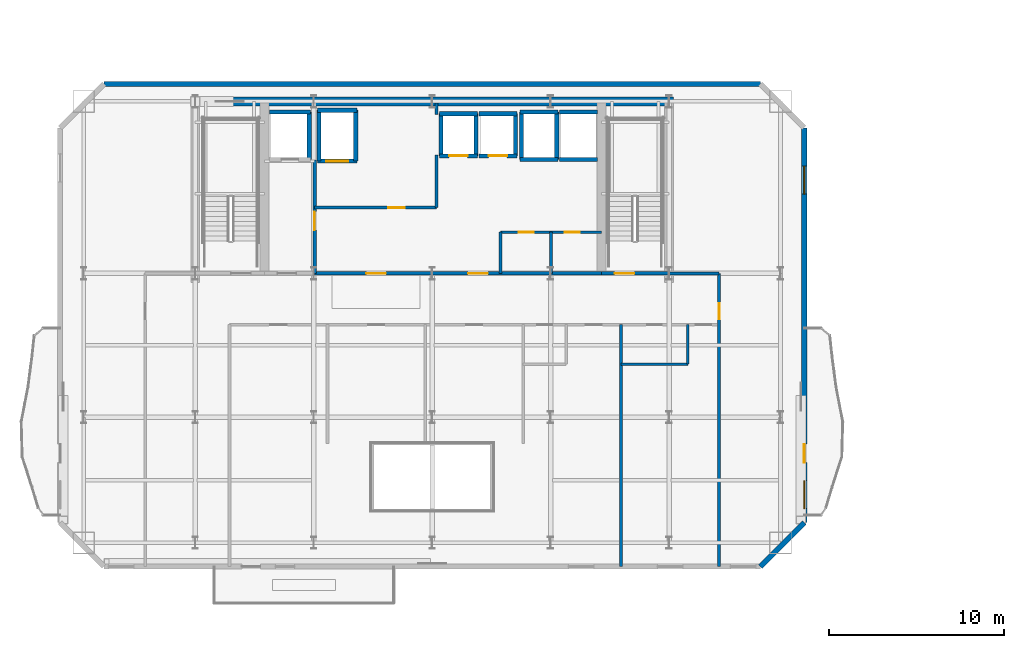
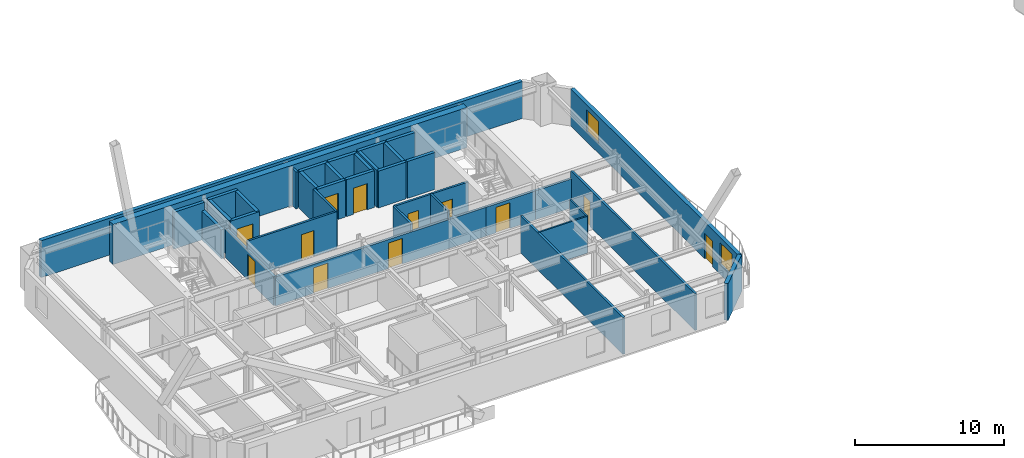
# One storey, part 6 of 13: 37 walls, 12 doors, 2 windows, 14 openings.
"""IFC4 building model written with IfcOpenShell, lengths in metres."""

from ifc_helpers import new_model, si_unit, direction, frame, frame_2d, origin, place, context, subcontext, project, spatial, rectangle, extrude, material, layer, layer_set, type_object, element, fill, save


model = new_model("IFC4")

# Units and contexts
model_context = context("Model", 3, precision=1e-05, world=origin(), true_north=direction((0.0, 1.0)))
body_context = subcontext(model_context, "Body", "Model", "MODEL_VIEW")
ifc_project = project(units=[si_unit("LENGTHUNIT", "METRE"), si_unit("AREAUNIT", "SQUARE_METRE"), si_unit("VOLUMEUNIT", "CUBIC_METRE"), si_unit("PLANEANGLEUNIT", "RADIAN"), si_unit("MASSUNIT", "GRAM", prefix="KILO")], contexts=[model_context])

# Site, building, storey
site_placement = place(None, origin())
site = spatial("IfcSite", under=ifc_project, at=site_placement, CompositionType="ELEMENT")
building_placement = place(site_placement, origin())
building = spatial("IfcBuilding", under=site, at=building_placement, Name="Haevon Station Towers", CompositionType="ELEMENT")
storey_placement = place(building_placement, frame((0.0, 0.0, 146.10009765625)))
storey = spatial("IfcBuildingStorey", under=building, at=storey_placement, Name="L39", CompositionType="ELEMENT", Elevation=146.10009765625)

# Wall
ifc_material_1 = material(Name="Gypsum board on steel stud", Category="steel")
ifc_layer_1 = layer(ifc_material_1, 0.179931640625)
ifc_layer_set_1 = layer_set([ifc_layer_1], Name="Gypsum board on steel stud")
wall_type_1 = type_object("IfcWallType", Name="WL-ACU180", PredefinedType="PARTITIONING", material=ifc_layer_set_1)
wall_1_placement = place(storey_placement, frame((51.0, 38.199951171875, 0.0), z_axis=(0.0, 0.0, 1.0), x_axis=(1.0, 0.0, 0.0)))
element("IfcWall", 1, at=wall_1_placement, inside=storey, type_object=wall_type_1, Name="WL-T1PT-L39-03", PredefinedType="PARTITIONING", context=body_context, shape_type="SweptSolid", body=[
    extrude(rectangle(XDim=2.85009765625, YDim=0.179931640625, at=frame_2d((1.425048828125, 0.0))), origin(), (0.0, 0.0, 1.0), 2.3798828125),
])

# Wall, opening, door
ifc_layer_2 = layer(ifc_material_1, 0.199951171875)
ifc_layer_set_2 = layer_set([ifc_layer_2], Name="Gypsum board on steel stud")
wall_type_2 = type_object("IfcWallType", Name="WL-COR200", PredefinedType="PARTITIONING", material=ifc_layer_set_2)
wall_2_placement = place(storey_placement, frame((47.14990234375, 38.199951171875, 0.0), z_axis=(0.0, 0.0, 1.0), x_axis=(1.0, 0.0, 0.0)))
wall_2 = element("IfcWall", 2, at=wall_2_placement, inside=storey, type_object=wall_type_2, Name="WL-ST-ST2-L39", PredefinedType="PARTITIONING", context=body_context, shape_type="SweptSolid", body=[
    extrude(rectangle(XDim=3.85009765625, YDim=0.199951171875, at=frame_2d((1.925048828125, 0.0))), origin(), (0.0, 0.0, 1.0), 2.3798828125),
])
opening_1_placement = place(wall_2_placement, frame((0.75, 0.0, 0.0)))
opening_1 = element("IfcOpeningElement", 3, at=opening_1_placement, cuts=wall_2, Name="Opening DR-ST-ST2-L39", PredefinedType="OPENING", context=body_context, shape_type="SweptSolid", body=[
    extrude(rectangle(XDim=1.1201171875, YDim=2.10009765625, at=frame_2d((0.56005859375, 1.050048828125))), frame((0.0, 0.10986328125, 0.0), z_axis=(0.0, -1.0, 0.0), x_axis=(1.0, 0.0, 0.0)), (0.0, 0.0, 1.0), 0.219970703125),
])
ifc_material_2 = material(Name="Engineered oak timber", Category="wood")
door_type_1 = type_object("IfcDoorType", Name="DR-ST-1120", OperationType="NOTDEFINED", PredefinedType="DOOR", material=ifc_material_2)
door_1_placement = place(opening_1_placement, origin())
door_1 = element("IfcDoor", 4, at=door_1_placement, inside=storey, type_object=door_type_1, Name="L39 Escape Stair ST2 Fire Door", OperationType="SINGLE_SWING_LEFT", OverallHeight=2.10009765625, OverallWidth=1.1201171875, PredefinedType="DOOR", context=body_context, shape_type="SweptSolid", body=[
    extrude(rectangle(XDim=1.1201171875, YDim=2.10009765625, at=frame_2d((0.56005859375, 1.050048828125))), frame((0.0, 0.02490234375, 0.0), z_axis=(0.0, -1.0, 0.0), x_axis=(1.0, 0.0, 0.0)), (0.0, 0.0, 1.0), 0.050048828125),
])
fill(opening_1, door_1)

wall_3_placement = place(storey_placement, frame((30.800048828125, 38.199951171875, 0.0), z_axis=(0.0, 0.0, 1.0), x_axis=(0.0, 1.0, 0.0)))
wall_3 = element("IfcWall", 5, at=wall_3_placement, inside=storey, type_object=wall_type_2, Name="WL-T1FFL-L39-E", PredefinedType="PARTITIONING", context=body_context, shape_type="SweptSolid", body=[
    extrude(rectangle(XDim=6.449951171875, YDim=0.199951171875, at=frame_2d((3.22509765625, 0.0))), origin(), (0.0, 0.0, 1.0), 2.3798828125),
])
opening_2_placement = place(wall_3_placement, frame((2.469970703125, 0.0, 0.0)))
opening_2 = element("IfcOpeningElement", 6, at=opening_2_placement, cuts=wall_3, Name="Opening DR-T1FFL-L39-E", PredefinedType="OPENING", context=body_context, shape_type="SweptSolid", body=[
    extrude(rectangle(XDim=1.050048828125, YDim=2.10009765625, at=frame_2d((0.52490234375, 1.050048828125))), frame((0.0, 0.10986328125, 0.0), z_axis=(0.0, -1.0, 0.0), x_axis=(1.0, 0.0, 0.0)), (0.0, 0.0, 1.0), 0.219970703125),
])
door_type_2 = type_object("IfcDoorType", Name="DR-FD60-1050", OperationType="NOTDEFINED", PredefinedType="DOOR", material=ifc_material_2)
door_2_placement = place(opening_2_placement, origin())
door_2 = element("IfcDoor", 7, at=door_2_placement, inside=storey, type_object=door_type_2, Name="L39 Tower 1 Firefighting Lift Lobby Door E", OperationType="SINGLE_SWING_RIGHT", OverallHeight=2.10009765625, OverallWidth=1.050048828125, PredefinedType="DOOR", context=body_context, shape_type="SweptSolid", body=[
    extrude(rectangle(XDim=1.050048828125, YDim=2.10009765625, at=frame_2d((0.52490234375, 1.050048828125))), frame((0.0, 0.02490234375, 0.0), z_axis=(0.0, -1.0, 0.0), x_axis=(1.0, 0.0, 0.0)), (0.0, 0.0, 1.0), 0.050048828125),
])
fill(opening_2, door_2)

# Wall, openings, doors
wall_4_placement = place(storey_placement, frame((30.800048828125, 38.199951171875, 0.0), z_axis=(0.0, 0.0, 1.0), x_axis=(1.0, 0.0, 0.0)))
wall_4 = element("IfcWall", 8, at=wall_4_placement, inside=storey, type_object=wall_type_2, Name="WL-T1CLB-L39", PredefinedType="PARTITIONING", context=body_context, shape_type="SweptSolid", body=[
    extrude(rectangle(XDim=16.349853515625, YDim=0.199951171875, at=frame_2d((8.1748046875, 0.0))), origin(), (0.0, 0.0, 1.0), 2.3798828125),
])
opening_3_placement = place(wall_4_placement, frame((2.949951171875, 0.0, 0.0)))
opening_3 = element("IfcOpeningElement", 9, at=opening_3_placement, cuts=wall_4, Name="Opening DR-T1CLB-L39-1", PredefinedType="OPENING", context=body_context, shape_type="SweptSolid", body=[
    extrude(rectangle(XDim=1.1201171875, YDim=2.10009765625, at=frame_2d((0.56005859375, 1.050048828125))), frame((0.0, 0.10986328125, 0.0), z_axis=(0.0, -1.0, 0.0), x_axis=(1.0, 0.0, 0.0)), (0.0, 0.0, 1.0), 0.219970703125),
])
opening_4_placement = place(wall_4_placement, frame((8.75, 0.0, 0.0)))
opening_4 = element("IfcOpeningElement", 10, at=opening_4_placement, cuts=wall_4, Name="Opening DR-T1CLB-L39-2", PredefinedType="OPENING", context=body_context, shape_type="SweptSolid", body=[
    extrude(rectangle(XDim=1.1201171875, YDim=2.10009765625, at=frame_2d((0.56005859375, 1.050048828125))), frame((0.0, 0.10986328125, 0.0), z_axis=(0.0, -1.0, 0.0), x_axis=(1.0, 0.0, 0.0)), (0.0, 0.0, 1.0), 0.219970703125),
])
door_3_placement = place(opening_3_placement, origin())
door_3 = element("IfcDoor", 11, at=door_3_placement, inside=storey, type_object=door_type_1, Name="L39 Tower 1 Core Lift Lobby Door 1", OperationType="SINGLE_SWING_RIGHT", OverallHeight=2.10009765625, OverallWidth=1.1201171875, PredefinedType="DOOR", context=body_context, shape_type="SweptSolid", body=[
    extrude(rectangle(XDim=1.1201171875, YDim=2.10009765625, at=frame_2d((0.56005859375, 1.050048828125))), frame((0.0, 0.02490234375, 0.0), z_axis=(0.0, -1.0, 0.0), x_axis=(1.0, 0.0, 0.0)), (0.0, 0.0, 1.0), 0.050048828125),
])
fill(opening_3, door_3)
door_4_placement = place(opening_4_placement, origin())
door_4 = element("IfcDoor", 12, at=door_4_placement, inside=storey, type_object=door_type_1, Name="L39 Tower 1 Core Lift Lobby Door 2", OperationType="SINGLE_SWING_LEFT", OverallHeight=2.10009765625, OverallWidth=1.1201171875, PredefinedType="DOOR", context=body_context, shape_type="SweptSolid", body=[
    extrude(rectangle(XDim=1.1201171875, YDim=2.10009765625, at=frame_2d((0.56005859375, 1.050048828125))), frame((0.0, 0.02490234375, 0.0), z_axis=(0.0, -1.0, 0.0), x_axis=(1.0, 0.0, 0.0)), (0.0, 0.0, 1.0), 0.050048828125),
])
fill(opening_4, door_4)

# Walls
ifc_material_3 = material(Name="Concrete C60/75", Category="concrete")
ifc_layer_3 = layer(ifc_material_3, 0.5)
ifc_layer_set_3 = layer_set([ifc_layer_3], Name="Concrete C60/75")
wall_type_3 = type_object("IfcWallType", Name="WL-CR500", PredefinedType="SHEAR", material=ifc_layer_set_3)
wall_5_placement = place(storey_placement, frame((23.75, 48.0, 0.0), z_axis=(0.0, 0.0, 1.0), x_axis=(1.0, 0.0, 0.0)))
element("IfcWall", 13, at=wall_5_placement, inside=storey, type_object=wall_type_3, Name="WL-T1CR-L39-N", PredefinedType="SHEAR", context=body_context, shape_type="SweptSolid", body=[
    extrude(rectangle(XDim=27.5, YDim=0.5, at=frame_2d((13.75, 0.0))), origin(), (0.0, 0.0, 1.0), 3.2998046875),
])
ifc_material_4 = material(Name="Precast concrete C45/55", Category="concrete")
ifc_layer_4 = layer(ifc_material_4, 0.300048828125)
ifc_layer_set_4 = layer_set([ifc_layer_4], Name="Precast concrete C45/55")
wall_type_4 = type_object("IfcWallType", Name="WL-EXT-PIER300", PredefinedType="SOLIDWALL", material=ifc_layer_set_4)
wall_6_placement = place(storey_placement, frame((18.800048828125, 49.0, 0.0), z_axis=(0.0, 0.0, 1.0), x_axis=(1.0, 0.0, 0.0)))
element("IfcWall", 14, at=wall_6_placement, inside=storey, type_object=wall_type_4, Name="WL-T1-L39-N", PredefinedType="SOLIDWALL", context=body_context, shape_type="SweptSolid", body=[
    extrude(rectangle(XDim=37.39990234375, YDim=0.300048828125, at=frame_2d((18.699951171875, 0.0))), origin(), (0.0, 0.0, 1.0), 3.02978515625),
])

# Wall, openings, door, windows
wall_7_placement = place(storey_placement, frame((58.699951171875, 46.5, 0.0), z_axis=(0.0, 0.0, 1.0), x_axis=(0.0, -1.0, 0.0)))
wall_7 = element("IfcWall", 15, at=wall_7_placement, inside=storey, type_object=wall_type_4, Name="WL-T1-L39-E", PredefinedType="SOLIDWALL", context=body_context, shape_type="SweptSolid", body=[
    extrude(rectangle(XDim=22.5, YDim=0.300048828125, at=frame_2d((11.25, 0.0))), origin(), (0.0, 0.0, 1.0), 3.02978515625),
])
opening_5_placement = place(wall_7_placement, frame((18.02490234375, 0.0, 0.0)))
opening_5 = element("IfcOpeningElement", 16, at=opening_5_placement, cuts=wall_7, Name="Opening DR-T1-SCAL-L39-E", PredefinedType="OPENING", context=body_context, shape_type="SweptSolid", body=[
    extrude(rectangle(XDim=1.050048828125, YDim=2.10009765625, at=frame_2d((0.52490234375, 1.050048828125))), frame((0.0, 0.159912109375, 0.0), z_axis=(0.0, -1.0, 0.0), x_axis=(1.0, 0.0, 0.0)), (0.0, 0.0, 1.0), 0.320068359375),
])
opening_6_placement = place(wall_7_placement, frame((2.1787109375, 0.0, 0.800048828125)))
opening_6 = element("IfcOpeningElement", 17, at=opening_6_placement, cuts=wall_7, Name="Opening WN-END160", PredefinedType="OPENING", context=body_context, shape_type="SweptSolid", body=[
    extrude(rectangle(XDim=1.60009765625, YDim=1.800048828125, at=frame_2d((0.800048828125, 0.89990234375))), frame((0.0, 0.159912109375, 0.0), z_axis=(0.0, -1.0, 0.0), x_axis=(1.0, 0.0, 0.0)), (0.0, 0.0, 1.0), 0.320068359375),
])
opening_7_placement = place(wall_7_placement, frame((20.10009765625, 0.0, 0.800048828125)))
opening_7 = element("IfcOpeningElement", 18, at=opening_7_placement, cuts=wall_7, Name="Opening WN-END160", PredefinedType="OPENING", context=body_context, shape_type="SweptSolid", body=[
    extrude(rectangle(XDim=1.60009765625, YDim=1.800048828125, at=frame_2d((0.800048828125, 0.89990234375))), frame((0.0, 0.159912109375, 0.0), z_axis=(0.0, -1.0, 0.0), x_axis=(1.0, 0.0, 0.0)), (0.0, 0.0, 1.0), 0.320068359375),
])
ifc_material_5 = material(Name="Thermally broken anodised aluminium and laminated safety glass", Category="aluminium")
door_type_3 = type_object("IfcDoorType", Name="DR-BALC-1050", OperationType="NOTDEFINED", PredefinedType="DOOR", material=ifc_material_5)
door_5_placement = place(opening_5_placement, origin())
door_5 = element("IfcDoor", 19, at=door_5_placement, inside=storey, type_object=door_type_3, Name="Tower 1 L39 East Scalloped Balcony Door", OperationType="SINGLE_SWING_LEFT", OverallHeight=2.10009765625, OverallWidth=1.050048828125, PredefinedType="DOOR", context=body_context, shape_type="SweptSolid", body=[
    extrude(rectangle(XDim=1.050048828125, YDim=2.10009765625, at=frame_2d((0.52490234375, 1.050048828125))), frame((0.0, 0.02490234375, 0.0), z_axis=(0.0, -1.0, 0.0), x_axis=(1.0, 0.0, 0.0)), (0.0, 0.0, 1.0), 0.050048828125),
])
fill(opening_5, door_5)
ifc_material_6 = material(Name="Low-E triple glazing in thermally broken aluminium", Category="aluminium")
window_type = type_object("IfcWindowType", Name="WN-END160", PartitioningType="SINGLE_PANEL", PredefinedType="WINDOW", material=ifc_material_6)
window_1_placement = place(opening_6_placement, origin())
window_1 = element("IfcWindow", 20, at=window_1_placement, inside=storey, type_object=window_type, Name="WN-T1-L39-E01", OverallHeight=1.800048828125, OverallWidth=1.60009765625, PartitioningType="SINGLE_PANEL", PredefinedType="WINDOW", context=body_context, shape_type="SweptSolid", body=[
    extrude(rectangle(XDim=1.60009765625, YDim=1.800048828125, at=frame_2d((0.800048828125, 0.89990234375))), frame((0.0, 0.030029296875, 0.0), z_axis=(0.0, -1.0, 0.0), x_axis=(1.0, 0.0, 0.0)), (0.0, 0.0, 1.0), 0.06005859375),
])
fill(opening_6, window_1)
window_2_placement = place(opening_7_placement, origin())
window_2 = element("IfcWindow", 21, at=window_2_placement, inside=storey, type_object=window_type, Name="WN-T1-L39-E02", OverallHeight=1.800048828125, OverallWidth=1.60009765625, PartitioningType="SINGLE_PANEL", PredefinedType="WINDOW", context=body_context, shape_type="SweptSolid", body=[
    extrude(rectangle(XDim=1.60009765625, YDim=1.800048828125, at=frame_2d((0.800048828125, 0.89990234375))), frame((0.0, 0.030029296875, 0.0), z_axis=(0.0, -1.0, 0.0), x_axis=(1.0, 0.0, 0.0)), (0.0, 0.0, 1.0), 0.06005859375),
])
fill(opening_7, window_2)

# Walls
wall_8_placement = place(storey_placement, frame((58.699951171875, 24.0, 0.0), z_axis=(0.0, 0.0, 1.0), x_axis=(-0.707106781187, -0.707106781187, 0.0)))
element("IfcWall", 22, at=wall_8_placement, inside=storey, type_object=wall_type_4, Name="WL-T1-L39-SEC", PredefinedType="SOLIDWALL", context=body_context, shape_type="SweptSolid", body=[
    extrude(rectangle(XDim=3.53564453125, YDim=0.300048828125, at=frame_2d((1.767822265625, 0.0))), origin(), (0.0, 0.0, 1.0), 3.02978515625),
])
ifc_layer_5 = layer(ifc_material_1, 0.125)
ifc_layer_set_5 = layer_set([ifc_layer_5], Name="Gypsum board on steel stud")
wall_type_5 = type_object("IfcWallType", Name="WL-PRT125", PredefinedType="PARTITIONING", material=ifc_layer_set_5)
wall_9_placement = place(storey_placement, frame((48.27001953125, 33.030029296875, 0.0), z_axis=(0.0, 0.0, 1.0), x_axis=(1.0, 0.0, 0.0)))
element("IfcWall", 23, at=wall_9_placement, inside=storey, type_object=wall_type_5, Name="WL-T1PT-L39-18", PredefinedType="PARTITIONING", context=body_context, shape_type="SweptSolid", body=[
    extrude(rectangle(XDim=3.800048828125, YDim=0.125, at=frame_2d((1.89990234375, 0.0))), origin(), (0.0, 0.0, 1.0), 3.02978515625),
])
wall_10_placement = place(storey_placement, frame((52.070068359375, 33.030029296875, 0.0), z_axis=(0.0, 0.0, 1.0), x_axis=(0.0, 1.0, 0.0)))
element("IfcWall", 24, at=wall_10_placement, inside=storey, type_object=wall_type_5, Name="WL-T1PT-L39-19", PredefinedType="PARTITIONING", context=body_context, shape_type="SweptSolid", body=[
    extrude(rectangle(XDim=2.25, YDim=0.125, at=frame_2d((1.125, 0.0))), origin(), (0.0, 0.0, 1.0), 3.02978515625),
])

# Wall, opening, door
ifc_layer_6 = layer(ifc_material_1, 0.159912109375)
ifc_layer_set_6 = layer_set([ifc_layer_6], Name="Gypsum board on steel stud")
wall_type_6 = type_object("IfcWallType", Name="WL-PRT160", PredefinedType="PARTITIONING", material=ifc_layer_set_6)
wall_11_placement = place(storey_placement, frame((30.800048828125, 41.949951171875, 0.0), z_axis=(0.0, 0.0, 1.0), x_axis=(1.0, 0.0, 0.0)))
wall_11 = element("IfcWall", 25, at=wall_11_placement, inside=storey, type_object=wall_type_6, Name="WL-T1CW-L39-01", PredefinedType="PARTITIONING", context=body_context, shape_type="SweptSolid", body=[
    extrude(rectangle(XDim=6.949951171875, YDim=0.159912109375, at=frame_2d((3.47509765625, 0.0))), origin(), (0.0, 0.0, 1.0), 3.02978515625),
])
opening_8_placement = place(wall_11_placement, frame((4.199951171875, 0.0, 0.0)))
opening_8 = element("IfcOpeningElement", 26, at=opening_8_placement, cuts=wall_11, Name="Opening DR-WL-T1CW-L39-01-1", PredefinedType="OPENING", context=body_context, shape_type="SweptSolid", body=[
    extrude(rectangle(XDim=0.949951171875, YDim=2.10009765625, at=frame_2d((0.47509765625, 1.050048828125))), frame((0.0, 0.08984375, 0.0), z_axis=(0.0, -1.0, 0.0), x_axis=(1.0, 0.0, 0.0)), (0.0, 0.0, 1.0), 0.179931640625),
])
door_type_4 = type_object("IfcDoorType", Name="DR-FD60-950", OperationType="NOTDEFINED", PredefinedType="DOOR", material=ifc_material_2)
door_6_placement = place(opening_8_placement, origin())
door_6 = element("IfcDoor", 27, at=door_6_placement, inside=storey, type_object=door_type_4, Name="L39 Tower 1 Core Room Door 1-1", OperationType="SINGLE_SWING_LEFT", OverallHeight=2.10009765625, OverallWidth=0.949951171875, PredefinedType="DOOR", context=body_context, shape_type="SweptSolid", body=[
    extrude(rectangle(XDim=0.949951171875, YDim=2.10009765625, at=frame_2d((0.47509765625, 1.050048828125))), frame((0.0, 0.02490234375, 0.0), z_axis=(0.0, -1.0, 0.0), x_axis=(1.0, 0.0, 0.0)), (0.0, 0.0, 1.0), 0.050048828125),
])
fill(opening_8, door_6)

# Walls
wall_12_placement = place(storey_placement, frame((37.75, 41.949951171875, 0.0), z_axis=(0.0, 0.0, 1.0), x_axis=(0.0, 1.0, 0.0)))
element("IfcWall", 28, at=wall_12_placement, inside=storey, type_object=wall_type_6, Name="WL-T1CW-L39-02", PredefinedType="PARTITIONING", context=body_context, shape_type="SweptSolid", body=[
    extrude(rectangle(XDim=3.0, YDim=0.159912109375, at=frame_2d((1.5, 0.0))), origin(), (0.0, 0.0, 1.0), 3.02978515625),
])
wall_13_placement = place(storey_placement, frame((37.75, 47.25, 0.0), z_axis=(0.0, 0.0, 1.0), x_axis=(0.0, 1.0, 0.0)))
element("IfcWall", 29, at=wall_13_placement, inside=storey, type_object=wall_type_6, Name="WL-T1CW-L39-03", PredefinedType="PARTITIONING", context=body_context, shape_type="SweptSolid", body=[
    extrude(rectangle(XDim=0.64990234375, YDim=0.159912109375, at=frame_2d((0.324951171875, 0.0))), origin(), (0.0, 0.0, 1.0), 3.02978515625),
])
for number, where, z_axis, x_axis, name in (
    (30, (41.39990234375, 38.199951171875, 0.0), (0.0, 0.0, 1.0), (0.0, 1.0, 0.0), "WL-T1CW-L39-04"),
    (31, (44.280029296875, 38.199951171875, 0.0), (0.0, 0.0, 1.0), (0.0, 1.0, 0.0), "WL-T1CW-L39-05"),
):
    element("IfcWall", number, at=place(storey_placement, frame(where, z_axis=z_axis, x_axis=x_axis)), inside=storey, type_object=wall_type_6, Name=name, PredefinedType="PARTITIONING", context=body_context, shape_type="SweptSolid", body=[
        extrude(rectangle(XDim=2.35009765625, YDim=0.159912109375, at=frame_2d((1.175048828125, 0.0))), origin(), (0.0, 0.0, 1.0), 3.02978515625),
    ])

# Wall, openings, doors
wall_14_placement = place(storey_placement, frame((41.39990234375, 40.550048828125, 0.0), z_axis=(0.0, 0.0, 1.0), x_axis=(1.0, 0.0, 0.0)))
wall_14 = element("IfcWall", 32, at=wall_14_placement, inside=storey, type_object=wall_type_6, Name="WL-T1CW-L39-06", PredefinedType="PARTITIONING", context=body_context, shape_type="SweptSolid", body=[
    extrude(rectangle(XDim=5.75, YDim=0.159912109375, at=frame_2d((2.875, 0.0))), origin(), (0.0, 0.0, 1.0), 3.02978515625),
])
opening_9_placement = place(wall_14_placement, frame((1.034912109375, 0.0, 0.0)))
opening_9 = element("IfcOpeningElement", 33, at=opening_9_placement, cuts=wall_14, Name="Opening DR-WL-T1CW-L39-06-1", PredefinedType="OPENING", context=body_context, shape_type="SweptSolid", body=[
    extrude(rectangle(XDim=0.85009765625, YDim=2.050048828125, at=frame_2d((0.425048828125, 1.02490234375))), frame((0.0, 0.08984375, 0.0), z_axis=(0.0, -1.0, 0.0), x_axis=(1.0, 0.0, 0.0)), (0.0, 0.0, 1.0), 0.179931640625),
])
opening_10_placement = place(wall_14_placement, frame((3.655029296875, 0.0, 0.0)))
opening_10 = element("IfcOpeningElement", 34, at=opening_10_placement, cuts=wall_14, Name="Opening DR-WL-T1CW-L39-06-2", PredefinedType="OPENING", context=body_context, shape_type="SweptSolid", body=[
    extrude(rectangle(XDim=0.85009765625, YDim=2.050048828125, at=frame_2d((0.425048828125, 1.02490234375))), frame((0.0, 0.08984375, 0.0), z_axis=(0.0, -1.0, 0.0), x_axis=(1.0, 0.0, 0.0)), (0.0, 0.0, 1.0), 0.179931640625),
])
door_type_5 = type_object("IfcDoorType", Name="DR-FD30-850", OperationType="NOTDEFINED", PredefinedType="DOOR", material=ifc_material_2)
door_7_placement = place(opening_9_placement, origin())
door_7 = element("IfcDoor", 35, at=door_7_placement, inside=storey, type_object=door_type_5, Name="L39 Tower 1 Core Room Door 6-1", OperationType="SINGLE_SWING_RIGHT", OverallHeight=2.050048828125, OverallWidth=0.85009765625, PredefinedType="DOOR", context=body_context, shape_type="SweptSolid", body=[
    extrude(rectangle(XDim=0.85009765625, YDim=2.050048828125, at=frame_2d((0.425048828125, 1.02490234375))), frame((0.0, 0.02490234375, 0.0), z_axis=(0.0, -1.0, 0.0), x_axis=(1.0, 0.0, 0.0)), (0.0, 0.0, 1.0), 0.050048828125),
])
fill(opening_9, door_7)
door_8_placement = place(opening_10_placement, origin())
door_8 = element("IfcDoor", 36, at=door_8_placement, inside=storey, type_object=door_type_5, Name="L39 Tower 1 Core Room Door 6-2", OperationType="SINGLE_SWING_LEFT", OverallHeight=2.050048828125, OverallWidth=0.85009765625, PredefinedType="DOOR", context=body_context, shape_type="SweptSolid", body=[
    extrude(rectangle(XDim=0.85009765625, YDim=2.050048828125, at=frame_2d((0.425048828125, 1.02490234375))), frame((0.0, 0.02490234375, 0.0), z_axis=(0.0, -1.0, 0.0), x_axis=(1.0, 0.0, 0.0)), (0.0, 0.0, 1.0), 0.050048828125),
])
fill(opening_10, door_8)

# Wall, opening, door
wall_15_placement = place(storey_placement, frame((53.85009765625, 21.5, 0.0), z_axis=(0.0, 0.0, 1.0), x_axis=(0.0, 1.0, 0.0)))
wall_15 = element("IfcWall", 37, at=wall_15_placement, inside=storey, type_object=wall_type_6, Name="WL-T1PT-L39-05", PredefinedType="PARTITIONING", context=body_context, shape_type="SweptSolid", body=[
    extrude(rectangle(XDim=16.699951171875, YDim=0.159912109375, at=frame_2d((8.35009765625, 0.0))), origin(), (0.0, 0.0, 1.0), 3.02978515625),
])
opening_11_placement = place(wall_15_placement, frame((14.10009765625, 0.0, 0.0)))
opening_11 = element("IfcOpeningElement", 38, at=opening_11_placement, cuts=wall_15, Name="Opening DR-WL-T1PT-L39-05-01", PredefinedType="OPENING", context=body_context, shape_type="SweptSolid", body=[
    extrude(rectangle(XDim=0.89990234375, YDim=2.050048828125, at=frame_2d((0.449951171875, 1.02490234375))), frame((0.0, 0.08984375, 0.0), z_axis=(0.0, -1.0, 0.0), x_axis=(1.0, 0.0, 0.0)), (0.0, 0.0, 1.0), 0.179931640625),
])
door_type_6 = type_object("IfcDoorType", Name="DR-INT-900", OperationType="NOTDEFINED", PredefinedType="DOOR", material=ifc_material_2)
door_9_placement = place(opening_11_placement, origin())
door_9 = element("IfcDoor", 39, at=door_9_placement, inside=storey, type_object=door_type_6, Name="L39 Tower 1 Room Door 5-1", OperationType="SINGLE_SWING_LEFT", OverallHeight=2.050048828125, OverallWidth=0.89990234375, PredefinedType="DOOR", context=body_context, shape_type="SweptSolid", body=[
    extrude(rectangle(XDim=0.89990234375, YDim=2.050048828125, at=frame_2d((0.449951171875, 1.02490234375))), frame((0.0, 0.02490234375, 0.0), z_axis=(0.0, -1.0, 0.0), x_axis=(1.0, 0.0, 0.0)), (0.0, 0.0, 1.0), 0.050048828125),
])
fill(opening_11, door_9)

# Walls
wall_16_placement = place(storey_placement, frame((48.27001953125, 21.5, 0.0), z_axis=(0.0, 0.0, 1.0), x_axis=(0.0, 1.0, 0.0)))
element("IfcWall", 40, at=wall_16_placement, inside=storey, type_object=wall_type_6, Name="WL-T1PT-L39-17", PredefinedType="PARTITIONING", context=body_context, shape_type="SweptSolid", body=[
    extrude(rectangle(XDim=13.780029296875, YDim=0.159912109375, at=frame_2d((6.89013671875, 0.0))), origin(), (0.0, 0.0, 1.0), 3.02978515625),
])
ifc_material_7 = material(Name="Concrete C40/50", Category="concrete")
ifc_layer_7 = layer(ifc_material_7, 0.239990234375)
ifc_layer_set_7 = layer_set([ifc_layer_7], Name="Concrete C40/50")
wall_type_7 = type_object("IfcWallType", Name="WL-SHF240", PredefinedType="PARTITIONING", material=ifc_layer_set_7)
wall_17_placement = place(storey_placement, frame((28.219970703125, 47.39990234375, 0.0), z_axis=(0.0, 0.0, 1.0), x_axis=(1.0, 0.0, 0.0)))
element("IfcWall", 41, at=wall_17_placement, inside=storey, type_object=wall_type_7, Name="WL-SHF-FL1-L39-N", PredefinedType="PARTITIONING", context=body_context, shape_type="SweptSolid", body=[
    extrude(rectangle(XDim=2.360107421875, YDim=0.239990234375, at=frame_2d((1.18017578125, 0.0))), origin(), (0.0, 0.0, 1.0), 3.02978515625),
])
wall_18_placement = place(storey_placement, frame((30.5, 44.699951171875, 0.0), z_axis=(0.0, 0.0, 1.0), x_axis=(0.0, 1.0, 0.0)))
element("IfcWall", 42, at=wall_18_placement, inside=storey, type_object=wall_type_7, Name="WL-SHF-FL1-L39-E", PredefinedType="PARTITIONING", context=body_context, shape_type="SweptSolid", body=[
    extrude(rectangle(XDim=2.699951171875, YDim=0.239990234375, at=frame_2d((1.35009765625, 0.0))), origin(), (0.0, 0.0, 1.0), 2.3798828125),
])

# Wall, opening, door
wall_19_placement = place(storey_placement, frame((30.969970703125, 44.60009765625, 0.0), z_axis=(0.0, 0.0, 1.0), x_axis=(1.0, 0.0, 0.0)))
wall_19 = element("IfcWall", 43, at=wall_19_placement, inside=storey, type_object=wall_type_7, Name="WL-SHF-SL1-L39", PredefinedType="PARTITIONING", context=body_context, shape_type="SweptSolid", body=[
    extrude(rectangle(XDim=2.260009765625, YDim=0.239990234375, at=frame_2d((1.1298828125, 0.0))), origin(), (0.0, 0.0, 1.0), 3.02978515625),
])
opening_12_placement = place(wall_19_placement, frame((0.5048828125, 0.0, 0.0)))
opening_12 = element("IfcOpeningElement", 44, at=opening_12_placement, cuts=wall_19, Name="Opening LD-SL1-L39", PredefinedType="OPENING", context=body_context, shape_type="SweptSolid", body=[
    extrude(rectangle(XDim=1.25, YDim=2.199951171875, at=frame_2d((0.625, 1.10009765625))), frame((0.0, 0.1298828125, 0.0), z_axis=(0.0, -1.0, 0.0), x_axis=(1.0, 0.0, 0.0)), (0.0, 0.0, 1.0), 0.260009765625),
])
ifc_material_8 = material(Name="Stainless steel and rated core", Category="steel")
door_type_7 = type_object("IfcDoorType", Name="LD-SL1250", OperationType="SLIDING_TO_LEFT", PredefinedType="DOOR", material=ifc_material_8)
door_10_placement = place(opening_12_placement, origin())
door_10 = element("IfcDoor", 45, at=door_10_placement, inside=storey, type_object=door_type_7, Name="L39 Lift SL1 Sliding Landing Door", OperationType="SLIDING_TO_LEFT", OverallHeight=2.199951171875, OverallWidth=1.25, PredefinedType="DOOR", context=body_context, shape_type="SweptSolid", body=[
    extrude(rectangle(XDim=1.25, YDim=2.199951171875, at=frame_2d((0.625, 1.10009765625))), frame((0.0, 0.02490234375, 0.0), z_axis=(0.0, -1.0, 0.0), x_axis=(1.0, 0.0, 0.0)), (0.0, 0.0, 1.0), 0.050048828125),
])
fill(opening_12, door_10)

# Walls
wall_20_placement = place(storey_placement, frame((30.969970703125, 47.5, 0.0), z_axis=(0.0, 0.0, 1.0), x_axis=(1.0, 0.0, 0.0)))
element("IfcWall", 46, at=wall_20_placement, inside=storey, type_object=wall_type_7, Name="WL-SHF-SL1-L39-N", PredefinedType="PARTITIONING", context=body_context, shape_type="SweptSolid", body=[
    extrude(rectangle(XDim=2.260009765625, YDim=0.239990234375, at=frame_2d((1.1298828125, 0.0))), origin(), (0.0, 0.0, 1.0), 3.02978515625),
])
for number, where, z_axis, x_axis, name in (
    (47, (31.050048828125, 44.60009765625, 0.0), (0.0, 0.0, 1.0), (0.0, 1.0, 0.0), "WL-SHF-SL1-L39-W"),
    (48, (33.14990234375, 44.60009765625, 0.0), (0.0, 0.0, 1.0), (0.0, 1.0, 0.0), "WL-SHF-SL1-L39-E"),
):
    element("IfcWall", number, at=place(storey_placement, frame(where, z_axis=z_axis, x_axis=x_axis)), inside=storey, type_object=wall_type_7, Name=name, PredefinedType="PARTITIONING", context=body_context, shape_type="SweptSolid", body=[
        extrude(rectangle(XDim=2.89990234375, YDim=0.239990234375, at=frame_2d((1.449951171875, 0.0))), origin(), (0.0, 0.0, 1.0), 3.02978515625),
    ])

# Wall, opening, door
wall_21_placement = place(storey_placement, frame((37.919921875, 44.89990234375, 0.0), z_axis=(0.0, 0.0, 1.0), x_axis=(1.0, 0.0, 0.0)))
wall_21 = element("IfcWall", 49, at=wall_21_placement, inside=storey, type_object=wall_type_7, Name="WL-SHF-PL3-L39", PredefinedType="PARTITIONING", context=body_context, shape_type="SweptSolid", body=[
    extrude(rectangle(XDim=2.16015625, YDim=0.239990234375, at=frame_2d((1.080078125, 0.0))), origin(), (0.0, 0.0, 1.0), 3.02978515625),
])
opening_13_placement = place(wall_21_placement, frame((0.554931640625, 0.0, 0.0)))
opening_13 = element("IfcOpeningElement", 50, at=opening_13_placement, cuts=wall_21, Name="Opening LD-PL3-L39", PredefinedType="OPENING", context=body_context, shape_type="SweptSolid", body=[
    extrude(rectangle(XDim=1.050048828125, YDim=2.14990234375, at=frame_2d((0.52490234375, 1.074951171875))), frame((0.0, 0.1298828125, 0.0), z_axis=(0.0, -1.0, 0.0), x_axis=(1.0, 0.0, 0.0)), (0.0, 0.0, 1.0), 0.260009765625),
])
door_type_8 = type_object("IfcDoorType", Name="LD-PL1050", OperationType="SLIDING_TO_LEFT", PredefinedType="DOOR", material=ifc_material_8)
door_11_placement = place(opening_13_placement, origin())
door_11 = element("IfcDoor", 51, at=door_11_placement, inside=storey, type_object=door_type_8, Name="L39 Lift PL3 Sliding Landing Door", OperationType="SLIDING_TO_LEFT", OverallHeight=2.14990234375, OverallWidth=1.050048828125, PredefinedType="DOOR", context=body_context, shape_type="SweptSolid", body=[
    extrude(rectangle(XDim=1.050048828125, YDim=2.14990234375, at=frame_2d((0.52490234375, 1.074951171875))), frame((0.0, 0.02490234375, 0.0), z_axis=(0.0, -1.0, 0.0), x_axis=(1.0, 0.0, 0.0)), (0.0, 0.0, 1.0), 0.050048828125),
])
fill(opening_13, door_11)

# Walls
wall_22_placement = place(storey_placement, frame((37.919921875, 47.300048828125, 0.0), z_axis=(0.0, 0.0, 1.0), x_axis=(1.0, 0.0, 0.0)))
element("IfcWall", 52, at=wall_22_placement, inside=storey, type_object=wall_type_7, Name="WL-SHF-PL3-L39-N", PredefinedType="PARTITIONING", context=body_context, shape_type="SweptSolid", body=[
    extrude(rectangle(XDim=2.16015625, YDim=0.239990234375, at=frame_2d((1.080078125, 0.0))), origin(), (0.0, 0.0, 1.0), 3.02978515625),
])
for number, where, z_axis, x_axis, name in (
    (53, (38.0, 44.89990234375, 0.0), (0.0, 0.0, 1.0), (0.0, 1.0, 0.0), "WL-SHF-PL3-L39-W"),
    (54, (40.0, 44.89990234375, 0.0), (0.0, 0.0, 1.0), (0.0, 1.0, 0.0), "WL-SHF-PL3-L39-E"),
):
    element("IfcWall", number, at=place(storey_placement, frame(where, z_axis=z_axis, x_axis=x_axis)), inside=storey, type_object=wall_type_7, Name=name, PredefinedType="PARTITIONING", context=body_context, shape_type="SweptSolid", body=[
        extrude(rectangle(XDim=2.400146484375, YDim=0.239990234375, at=frame_2d((1.2001953125, 0.0))), origin(), (0.0, 0.0, 1.0), 3.02978515625),
    ])

# Wall, opening, door
wall_23_placement = place(storey_placement, frame((40.169921875, 44.89990234375, 0.0), z_axis=(0.0, 0.0, 1.0), x_axis=(1.0, 0.0, 0.0)))
wall_23 = element("IfcWall", 55, at=wall_23_placement, inside=storey, type_object=wall_type_7, Name="WL-SHF-PL4-L39", PredefinedType="PARTITIONING", context=body_context, shape_type="SweptSolid", body=[
    extrude(rectangle(XDim=2.16015625, YDim=0.239990234375, at=frame_2d((1.080078125, 0.0))), origin(), (0.0, 0.0, 1.0), 3.02978515625),
])
opening_14_placement = place(wall_23_placement, frame((0.554931640625, 0.0, 0.0)))
opening_14 = element("IfcOpeningElement", 56, at=opening_14_placement, cuts=wall_23, Name="Opening LD-PL4-L39", PredefinedType="OPENING", context=body_context, shape_type="SweptSolid", body=[
    extrude(rectangle(XDim=1.050048828125, YDim=2.14990234375, at=frame_2d((0.52490234375, 1.074951171875))), frame((0.0, 0.1298828125, 0.0), z_axis=(0.0, -1.0, 0.0), x_axis=(1.0, 0.0, 0.0)), (0.0, 0.0, 1.0), 0.260009765625),
])
door_12_placement = place(opening_14_placement, origin())
door_12 = element("IfcDoor", 57, at=door_12_placement, inside=storey, type_object=door_type_8, Name="L39 Lift PL4 Sliding Landing Door", OperationType="SLIDING_TO_LEFT", OverallHeight=2.14990234375, OverallWidth=1.050048828125, PredefinedType="DOOR", context=body_context, shape_type="SweptSolid", body=[
    extrude(rectangle(XDim=1.050048828125, YDim=2.14990234375, at=frame_2d((0.52490234375, 1.074951171875))), frame((0.0, 0.02490234375, 0.0), z_axis=(0.0, -1.0, 0.0), x_axis=(1.0, 0.0, 0.0)), (0.0, 0.0, 1.0), 0.050048828125),
])
fill(opening_14, door_12)

# Walls
wall_24_placement = place(storey_placement, frame((40.169921875, 47.300048828125, 0.0), z_axis=(0.0, 0.0, 1.0), x_axis=(1.0, 0.0, 0.0)))
element("IfcWall", 58, at=wall_24_placement, inside=storey, type_object=wall_type_7, Name="WL-SHF-PL4-L39-N", PredefinedType="PARTITIONING", context=body_context, shape_type="SweptSolid", body=[
    extrude(rectangle(XDim=2.16015625, YDim=0.239990234375, at=frame_2d((1.080078125, 0.0))), origin(), (0.0, 0.0, 1.0), 3.02978515625),
])
wall_25_placement = place(storey_placement, frame((42.25, 44.89990234375, 0.0), z_axis=(0.0, 0.0, 1.0), x_axis=(0.0, 1.0, 0.0)))
element("IfcWall", 59, at=wall_25_placement, inside=storey, type_object=wall_type_7, Name="WL-SHF-PL4-L39-E", PredefinedType="PARTITIONING", context=body_context, shape_type="SweptSolid", body=[
    extrude(rectangle(XDim=2.400146484375, YDim=0.239990234375, at=frame_2d((1.2001953125, 0.0))), origin(), (0.0, 0.0, 1.0), 3.02978515625),
])
for number, where, z_axis, x_axis, name in (
    (60, (42.52001953125, 44.699951171875, 0.0), (0.0, 0.0, 1.0), (1.0, 0.0, 0.0), "WL-SHF-PL5-L39"),
    (61, (42.52001953125, 47.39990234375, 0.0), (0.0, 0.0, 1.0), (1.0, 0.0, 0.0), "WL-SHF-PL5-L39-N"),
):
    element("IfcWall", number, at=place(storey_placement, frame(where, z_axis=z_axis, x_axis=x_axis)), inside=storey, type_object=wall_type_7, Name=name, PredefinedType="PARTITIONING", context=body_context, shape_type="SweptSolid", body=[
        extrude(rectangle(XDim=2.159912109375, YDim=0.239990234375, at=frame_2d((1.080078125, 0.0))), origin(), (0.0, 0.0, 1.0), 3.02978515625),
    ])
for number, where, z_axis, x_axis, name in (
    (62, (42.60009765625, 44.699951171875, 0.0), (0.0, 0.0, 1.0), (0.0, 1.0, 0.0), "WL-SHF-PL5-L39-W"),
    (63, (44.60009765625, 44.699951171875, 0.0), (0.0, 0.0, 1.0), (0.0, 1.0, 0.0), "WL-SHF-PL5-L39-E"),
):
    element("IfcWall", number, at=place(storey_placement, frame(where, z_axis=z_axis, x_axis=x_axis)), inside=storey, type_object=wall_type_7, Name=name, PredefinedType="PARTITIONING", context=body_context, shape_type="SweptSolid", body=[
        extrude(rectangle(XDim=2.699951171875, YDim=0.239990234375, at=frame_2d((1.35009765625, 0.0))), origin(), (0.0, 0.0, 1.0), 3.02978515625),
    ])
for number, where, z_axis, x_axis, name in (
    (64, (44.77001953125, 44.699951171875, 0.0), (0.0, 0.0, 1.0), (1.0, 0.0, 0.0), "WL-SHF-PL6-L39"),
    (65, (44.77001953125, 47.39990234375, 0.0), (0.0, 0.0, 1.0), (1.0, 0.0, 0.0), "WL-SHF-PL6-L39-N"),
):
    element("IfcWall", number, at=place(storey_placement, frame(where, z_axis=z_axis, x_axis=x_axis)), inside=storey, type_object=wall_type_7, Name=name, PredefinedType="PARTITIONING", context=body_context, shape_type="SweptSolid", body=[
        extrude(rectangle(XDim=2.159912109375, YDim=0.239990234375, at=frame_2d((1.080078125, 0.0))), origin(), (0.0, 0.0, 1.0), 3.02978515625),
    ])

save(model, "model.ifc")
